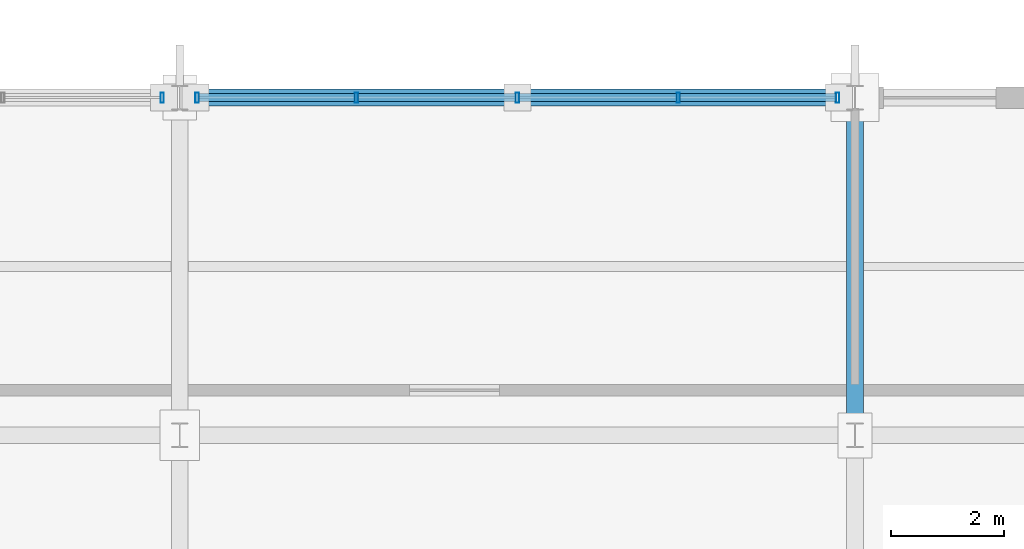
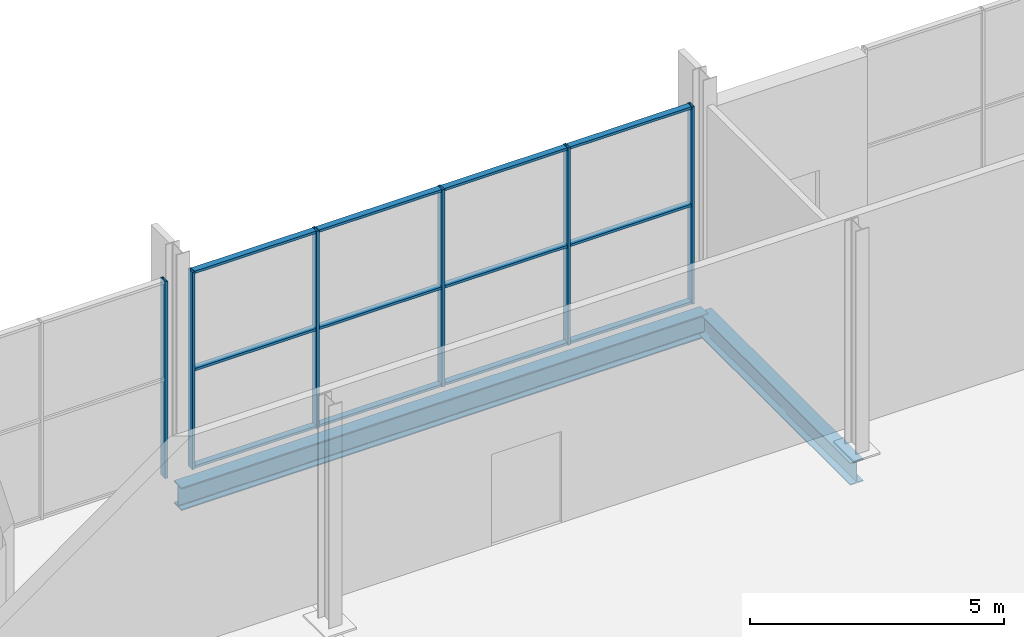
# One storey, part 87 of 196: 18 members, 2 beams, 2 elements without a shape of their own.
"""IFC4 building model written with IfcOpenShell, lengths in metres."""

from ifc_helpers import new_model, si_unit, direction, frame, origin, origin_2d, place, context, subcontext, project, spatial, hollow_rectangle, i_section, extrude, material, material_profile, profile_set, type_object, element, aggregate, save


model = new_model("IFC4")

# Units and contexts
model_context = context("Model", 3, precision=1e-05, world=origin(), true_north=direction((0.0, 1.0)))
body_context = subcontext(model_context, "Body", "Model", "MODEL_VIEW")
ifc_project = project(units=[si_unit("LENGTHUNIT", "METRE"), si_unit("AREAUNIT", "SQUARE_METRE"), si_unit("VOLUMEUNIT", "CUBIC_METRE"), si_unit("PLANEANGLEUNIT", "RADIAN"), si_unit("MASSUNIT", "GRAM", prefix="KILO")], contexts=[model_context])

# Site, building, storey
site_placement = place(None, origin())
site = spatial("IfcSite", under=ifc_project, at=site_placement, CompositionType="ELEMENT")
building_placement = place(site_placement, origin())
building = spatial("IfcBuilding", under=site, at=building_placement, Name="Merenkruunu Market Hall", CompositionType="ELEMENT")
storey_placement = place(building_placement, origin())
storey = spatial("IfcBuildingStorey", under=building, at=storey_placement, Name="L00", CompositionType="ELEMENT", Elevation=0.0)

# Curtain wall, member
ifc_material_1 = material(Name="Powder-coated aluminium", Category="aluminium")
curtain_wall_type = type_object("IfcCurtainWallType", Name="Glazed Curtain Wall CW04", PredefinedType="USERDEFINED", material=ifc_material_1)
curtain_wall_1_placement = place(storey_placement, origin())
curtain_wall_1 = element("IfcCurtainWall", 1, at=curtain_wall_1_placement, inside=storey, type_object=curtain_wall_type, Name="CW-L00-CWM02-188", ObjectType="GLAZED_FACADE", PredefinedType="USERDEFINED")
ifc_material_profile_1 = material_profile(ifc_material_1, hollow_rectangle(XDim=0.06005859375, YDim=0.179931640625, WallThickness=0.00390625, at=origin_2d()), Name="ALU 60x180x4")
ifc_profile_set_1 = profile_set([ifc_material_profile_1], Name="Powder-coated aluminium")
member_type_1 = type_object("IfcMemberType", Name="Curtain Wall Mullion CWM02", PredefinedType="MULLION", material=ifc_profile_set_1)
member_1_placement = place(storey_placement, frame((112.489990234375, 45.60009765625, 0.0), z_axis=(0.0, 0.0, 1.0), x_axis=(1.0, 0.0, 0.0)))
member_1 = element("IfcMember", 2, at=member_1_placement, type_object=member_type_1, Name="CW04 mullion 5", PredefinedType="MULLION", context=body_context, shape_type="SweptSolid", body=[
    extrude(hollow_rectangle(XDim=0.06005859375, YDim=0.179931640625, WallThickness=0.00390625, at=origin_2d()), origin(), (0.0, 0.0, 1.0), 4.75),
])
aggregate(curtain_wall_1, [member_1])

# Curtain wall, members
curtain_wall_2_placement = place(storey_placement, origin())
curtain_wall_2 = element("IfcCurtainWall", 3, at=curtain_wall_2_placement, inside=storey, type_object=curtain_wall_type, Name="CW-L00-CWM02-192", ObjectType="GLAZED_FACADE", PredefinedType="USERDEFINED")
member_2_placement = place(storey_placement, frame((113.110107421875, 45.60009765625, 0.0), z_axis=(0.0, 0.0, 1.0), x_axis=(1.0, 0.0, 0.0)))
member_2 = element("IfcMember", 4, at=member_2_placement, type_object=member_type_1, Name="CW04 mullion 1", PredefinedType="MULLION", context=body_context, shape_type="SweptSolid", body=[
    extrude(hollow_rectangle(XDim=0.06005859375, YDim=0.179931640625, WallThickness=0.00390625, at=origin_2d()), origin(), (0.0, 0.0, 1.0), 4.75),
])
member_3_placement = place(storey_placement, frame((115.93994140625, 45.60009765625, 0.0), z_axis=(0.0, 0.0, 1.0), x_axis=(1.0, 0.0, 0.0)))
member_3 = element("IfcMember", 5, at=member_3_placement, type_object=member_type_1, Name="CW04 mullion 2", PredefinedType="MULLION", context=body_context, shape_type="SweptSolid", body=[
    extrude(hollow_rectangle(XDim=0.06005859375, YDim=0.179931640625, WallThickness=0.00390625, at=origin_2d()), origin(), (0.0, 0.0, 1.0), 4.75),
])
member_4_placement = place(storey_placement, frame((118.800048828125, 45.60009765625, 0.0), z_axis=(0.0, 0.0, 1.0), x_axis=(1.0, 0.0, 0.0)))
member_4 = element("IfcMember", 6, at=member_4_placement, type_object=member_type_1, Name="CW04 mullion 3", PredefinedType="MULLION", context=body_context, shape_type="SweptSolid", body=[
    extrude(hollow_rectangle(XDim=0.06005859375, YDim=0.179931640625, WallThickness=0.00390625, at=origin_2d()), origin(), (0.0, 0.0, 1.0), 4.75),
])
member_5_placement = place(storey_placement, frame((121.659912109375, 45.60009765625, 0.0), z_axis=(0.0, 0.0, 1.0), x_axis=(1.0, 0.0, 0.0)))
member_5 = element("IfcMember", 7, at=member_5_placement, type_object=member_type_1, Name="CW04 mullion 4", PredefinedType="MULLION", context=body_context, shape_type="SweptSolid", body=[
    extrude(hollow_rectangle(XDim=0.06005859375, YDim=0.179931640625, WallThickness=0.00390625, at=origin_2d()), origin(), (0.0, 0.0, 1.0), 4.75),
])
member_6_placement = place(storey_placement, frame((124.489990234375, 45.60009765625, 0.0), z_axis=(0.0, 0.0, 1.0), x_axis=(1.0, 0.0, 0.0)))
member_6 = element("IfcMember", 8, at=member_6_placement, type_object=member_type_1, Name="CW04 mullion 5", PredefinedType="MULLION", context=body_context, shape_type="SweptSolid", body=[
    extrude(hollow_rectangle(XDim=0.06005859375, YDim=0.179931640625, WallThickness=0.00390625, at=origin_2d()), origin(), (0.0, 0.0, 1.0), 4.75),
])
ifc_material_profile_2 = material_profile(ifc_material_1, hollow_rectangle(XDim=0.06005859375, YDim=0.139892578125, WallThickness=0.00390625, at=origin_2d()), Name="ALU 60x140x4")
ifc_profile_set_2 = profile_set([ifc_material_profile_2], Name="Powder-coated aluminium")
member_type_2 = type_object("IfcMemberType", Name="Curtain Wall Transom CWT02", PredefinedType="USERDEFINED", material=ifc_profile_set_2)
member_7_placement = place(storey_placement, frame((113.139892578125, 45.60009765625, 0.030029296875), z_axis=(1.0, 0.0, 0.0), x_axis=(0.0, 0.0, 1.0)))
member_7 = element("IfcMember", 9, at=member_7_placement, type_object=member_type_2, Name="CW04 transom 1.1", ObjectType="TRANSOM", PredefinedType="USERDEFINED", context=body_context, shape_type="SweptSolid", body=[
    extrude(hollow_rectangle(XDim=0.06005859375, YDim=0.139892578125, WallThickness=0.00390625, at=origin_2d()), origin(), (0.0, 0.0, 1.0), 2.77001953125),
])
member_8_placement = place(storey_placement, frame((113.139892578125, 45.60009765625, 2.375), z_axis=(1.0, 0.0, 0.0), x_axis=(0.0, 0.0, 1.0)))
member_8 = element("IfcMember", 10, at=member_8_placement, type_object=member_type_2, Name="CW04 transom 1.2", ObjectType="TRANSOM", PredefinedType="USERDEFINED", context=body_context, shape_type="SweptSolid", body=[
    extrude(hollow_rectangle(XDim=0.06005859375, YDim=0.139892578125, WallThickness=0.00390625, at=origin_2d()), origin(), (0.0, 0.0, 1.0), 2.77001953125),
])
member_9_placement = place(storey_placement, frame((113.139892578125, 45.60009765625, 4.719970703125), z_axis=(1.0, 0.0, 0.0), x_axis=(0.0, 0.0, 1.0)))
member_9 = element("IfcMember", 11, at=member_9_placement, type_object=member_type_2, Name="CW04 transom 1.3", ObjectType="TRANSOM", PredefinedType="USERDEFINED", context=body_context, shape_type="SweptSolid", body=[
    extrude(hollow_rectangle(XDim=0.06005859375, YDim=0.139892578125, WallThickness=0.00390625, at=origin_2d()), origin(), (0.0, 0.0, 1.0), 2.77001953125),
])
member_10_placement = place(storey_placement, frame((115.969970703125, 45.60009765625, 0.030029296875), z_axis=(1.0, 0.0, 0.0), x_axis=(0.0, 0.0, 1.0)))
member_10 = element("IfcMember", 12, at=member_10_placement, type_object=member_type_2, Name="CW04 transom 2.1", ObjectType="TRANSOM", PredefinedType="USERDEFINED", context=body_context, shape_type="SweptSolid", body=[
    extrude(hollow_rectangle(XDim=0.06005859375, YDim=0.139892578125, WallThickness=0.00390625, at=origin_2d()), origin(), (0.0, 0.0, 1.0), 2.800048828125),
])
member_11_placement = place(storey_placement, frame((115.969970703125, 45.60009765625, 2.375), z_axis=(1.0, 0.0, 0.0), x_axis=(0.0, 0.0, 1.0)))
member_11 = element("IfcMember", 13, at=member_11_placement, type_object=member_type_2, Name="CW04 transom 2.2", ObjectType="TRANSOM", PredefinedType="USERDEFINED", context=body_context, shape_type="SweptSolid", body=[
    extrude(hollow_rectangle(XDim=0.06005859375, YDim=0.139892578125, WallThickness=0.00390625, at=origin_2d()), origin(), (0.0, 0.0, 1.0), 2.800048828125),
])
member_12_placement = place(storey_placement, frame((115.969970703125, 45.60009765625, 4.719970703125), z_axis=(1.0, 0.0, 0.0), x_axis=(0.0, 0.0, 1.0)))
member_12 = element("IfcMember", 14, at=member_12_placement, type_object=member_type_2, Name="CW04 transom 2.3", ObjectType="TRANSOM", PredefinedType="USERDEFINED", context=body_context, shape_type="SweptSolid", body=[
    extrude(hollow_rectangle(XDim=0.06005859375, YDim=0.139892578125, WallThickness=0.00390625, at=origin_2d()), origin(), (0.0, 0.0, 1.0), 2.800048828125),
])
member_13_placement = place(storey_placement, frame((118.830078125, 45.60009765625, 0.030029296875), z_axis=(1.0, 0.0, 0.0), x_axis=(0.0, 0.0, 1.0)))
member_13 = element("IfcMember", 15, at=member_13_placement, type_object=member_type_2, Name="CW04 transom 3.1", ObjectType="TRANSOM", PredefinedType="USERDEFINED", context=body_context, shape_type="SweptSolid", body=[
    extrude(hollow_rectangle(XDim=0.06005859375, YDim=0.139892578125, WallThickness=0.00390625, at=origin_2d()), origin(), (0.0, 0.0, 1.0), 2.7998046875),
])
member_14_placement = place(storey_placement, frame((118.830078125, 45.60009765625, 2.375), z_axis=(1.0, 0.0, 0.0), x_axis=(0.0, 0.0, 1.0)))
member_14 = element("IfcMember", 16, at=member_14_placement, type_object=member_type_2, Name="CW04 transom 3.2", ObjectType="TRANSOM", PredefinedType="USERDEFINED", context=body_context, shape_type="SweptSolid", body=[
    extrude(hollow_rectangle(XDim=0.06005859375, YDim=0.139892578125, WallThickness=0.00390625, at=origin_2d()), origin(), (0.0, 0.0, 1.0), 2.7998046875),
])
member_15_placement = place(storey_placement, frame((118.830078125, 45.60009765625, 4.719970703125), z_axis=(1.0, 0.0, 0.0), x_axis=(0.0, 0.0, 1.0)))
member_15 = element("IfcMember", 17, at=member_15_placement, type_object=member_type_2, Name="CW04 transom 3.3", ObjectType="TRANSOM", PredefinedType="USERDEFINED", context=body_context, shape_type="SweptSolid", body=[
    extrude(hollow_rectangle(XDim=0.06005859375, YDim=0.139892578125, WallThickness=0.00390625, at=origin_2d()), origin(), (0.0, 0.0, 1.0), 2.7998046875),
])
member_16_placement = place(storey_placement, frame((121.68994140625, 45.60009765625, 0.030029296875), z_axis=(1.0, 0.0, 0.0), x_axis=(0.0, 0.0, 1.0)))
member_16 = element("IfcMember", 18, at=member_16_placement, type_object=member_type_2, Name="CW04 transom 4.1", ObjectType="TRANSOM", PredefinedType="USERDEFINED", context=body_context, shape_type="SweptSolid", body=[
    extrude(hollow_rectangle(XDim=0.06005859375, YDim=0.139892578125, WallThickness=0.00390625, at=origin_2d()), origin(), (0.0, 0.0, 1.0), 2.77001953125),
])
member_17_placement = place(storey_placement, frame((121.68994140625, 45.60009765625, 2.375), z_axis=(1.0, 0.0, 0.0), x_axis=(0.0, 0.0, 1.0)))
member_17 = element("IfcMember", 19, at=member_17_placement, type_object=member_type_2, Name="CW04 transom 4.2", ObjectType="TRANSOM", PredefinedType="USERDEFINED", context=body_context, shape_type="SweptSolid", body=[
    extrude(hollow_rectangle(XDim=0.06005859375, YDim=0.139892578125, WallThickness=0.00390625, at=origin_2d()), origin(), (0.0, 0.0, 1.0), 2.77001953125),
])
member_18_placement = place(storey_placement, frame((121.68994140625, 45.60009765625, 4.719970703125), z_axis=(1.0, 0.0, 0.0), x_axis=(0.0, 0.0, 1.0)))
member_18 = element("IfcMember", 20, at=member_18_placement, type_object=member_type_2, Name="CW04 transom 4.3", ObjectType="TRANSOM", PredefinedType="USERDEFINED", context=body_context, shape_type="SweptSolid", body=[
    extrude(hollow_rectangle(XDim=0.06005859375, YDim=0.139892578125, WallThickness=0.00390625, at=origin_2d()), origin(), (0.0, 0.0, 1.0), 2.77001953125),
])
aggregate(curtain_wall_2, [member_2, member_3, member_4, member_5, member_6, member_7, member_8, member_9, member_10, member_11, member_12, member_13, member_14, member_15, member_16, member_17, member_18])

# Beams
ifc_material_2 = material(Name="Steel S355J2", Category="steel")
ifc_material_profile_3 = material_profile(ifc_material_2, i_section(OverallWidth=0.300048828125, OverallDepth=0.550048828125, WebThickness=0.014892578125, FlangeThickness=0.029052734375, FilletRadius=0.027099609375, at=origin_2d()), Name="HEB 550")
ifc_profile_set_3 = profile_set([ifc_material_profile_3], Name="Steel S355J2")
beam_type_1 = type_object("IfcBeamType", Name="Primary Floor Girder B02", PredefinedType="BEAM", material=ifc_profile_set_3)
beam_1_placement = place(storey_placement, frame((112.800048828125, 45.60009765625, -0.574951171875), z_axis=(1.0, 0.0, 0.0), x_axis=(0.0, 1.0, 0.0)))
element("IfcBeam", 21, at=beam_1_placement, inside=storey, type_object=beam_type_1, Name="BM-L00-B02-0074", PredefinedType="BEAM", context=body_context, shape_type="SweptSolid", body=[
    extrude(i_section(OverallWidth=0.300048828125, OverallDepth=0.550048828125, WebThickness=0.014892578125, FlangeThickness=0.029052734375, FilletRadius=0.027099609375, at=origin_2d()), origin(), (0.0, 0.0, 1.0), 12.0),
])
ifc_material_profile_4 = material_profile(ifc_material_2, i_section(OverallWidth=0.300048828125, OverallDepth=0.5400390625, WebThickness=0.012451171875, FlangeThickness=0.02392578125, FilletRadius=0.027099609375, at=origin_2d()), Name="HEA 550")
ifc_profile_set_4 = profile_set([ifc_material_profile_4], Name="Steel S355J2")
beam_type_2 = type_object("IfcBeamType", Name="Primary Floor Girder B06", PredefinedType="BEAM", material=ifc_profile_set_4)
beam_2_placement = place(storey_placement, frame((124.800048828125, 39.60009765625, -0.570068359375), z_axis=(0.0, 1.0, 0.0), x_axis=(-1.0, 0.0, 0.0)))
element("IfcBeam", 22, at=beam_2_placement, inside=storey, type_object=beam_type_2, Name="BM-L00-B06-0229", PredefinedType="BEAM", context=body_context, shape_type="SweptSolid", body=[
    extrude(i_section(OverallWidth=0.300048828125, OverallDepth=0.5400390625, WebThickness=0.012451171875, FlangeThickness=0.02392578125, FilletRadius=0.027099609375, at=origin_2d()), origin(), (0.0, 0.0, 1.0), 6.0),
])

save(model, "model.ifc")
